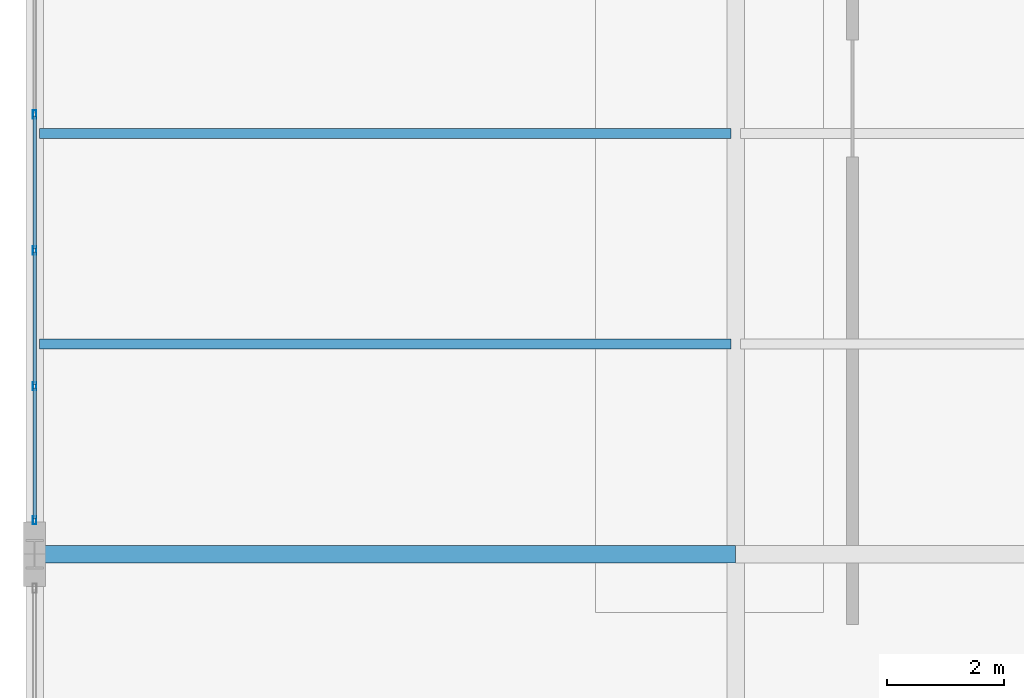
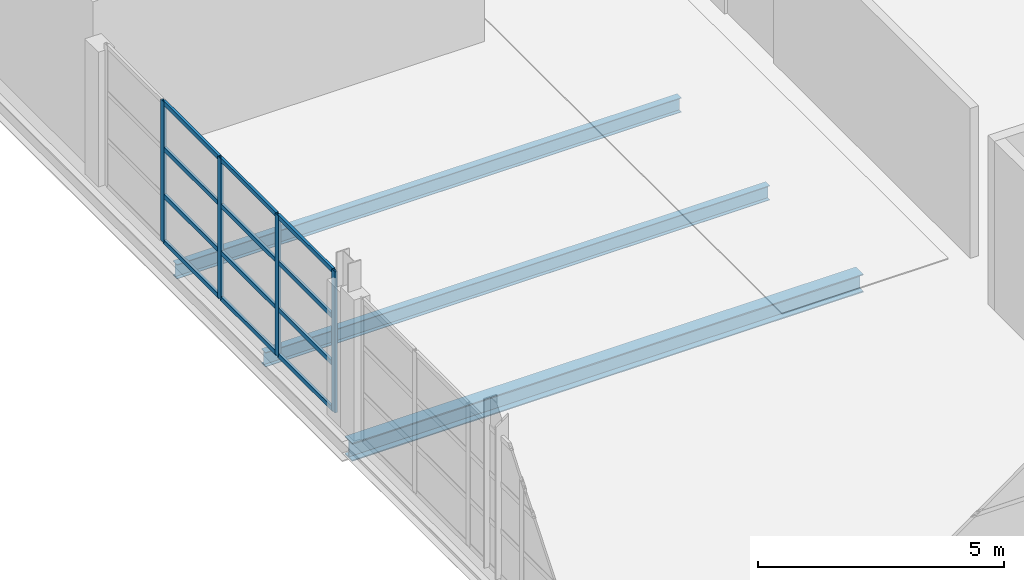
# One storey, part 33 of 158: 16 members, 3 beams, 1 element without a shape of its own.
"""IFC4 building model written with IfcOpenShell, lengths in metres."""

from ifc_helpers import new_model, si_unit, direction, frame, origin, origin_2d, place, context, subcontext, project, spatial, hollow_rectangle, i_section, extrude, material, layer, layer_set, material_profile, profile_set, type_object, element, aggregate, save


model = new_model("IFC4")

# Units and contexts
model_context = context("Model", 3, precision=1e-05, world=origin(), true_north=direction((0.0, 1.0)))
body_context = subcontext(model_context, "Body", "Model", "MODEL_VIEW")
ifc_project = project(units=[si_unit("LENGTHUNIT", "METRE"), si_unit("AREAUNIT", "SQUARE_METRE"), si_unit("VOLUMEUNIT", "CUBIC_METRE"), si_unit("PLANEANGLEUNIT", "RADIAN"), si_unit("MASSUNIT", "GRAM", prefix="KILO")], contexts=[model_context])

# Site, building, storey
site_placement = place(None, origin())
site = spatial("IfcSite", under=ifc_project, at=site_placement, CompositionType="ELEMENT")
building_placement = place(site_placement, origin())
building = spatial("IfcBuilding", under=site, at=building_placement, Name="Zilviju Railside Exhibition Hall", CompositionType="ELEMENT")
storey_placement = place(building_placement, frame((0.0, 0.0, 4.199951171875)))
storey = spatial("IfcBuildingStorey", under=building, at=storey_placement, Name="L02", CompositionType="ELEMENT", Elevation=4.199951171875)

# Beams
ifc_material_1 = material(Name="Steel S355J2", Category="steel")
ifc_material_profile_1 = material_profile(ifc_material_1, i_section(OverallWidth=0.300048828125, OverallDepth=0.449951171875, WebThickness=0.013916015625, FlangeThickness=0.02587890625, at=origin_2d()), Name="HEB 450")
ifc_profile_set_1 = profile_set([ifc_material_profile_1], Name="Steel S355J2")
beam_type_1 = type_object("IfcBeamType", Name="BM-HEB450", PredefinedType="BEAM", material=ifc_profile_set_1)
beam_placement = place(storey_placement, frame((0.0, 48.0, -0.5849609375), z_axis=(1.0, 0.0, 0.0), x_axis=(0.0, 1.0, 0.0)))
element("IfcBeam", 1, at=beam_placement, inside=storey, type_object=beam_type_1, Name="Primary Girder L02 Y=48.0 (0.0..12.0)", PredefinedType="BEAM", context=body_context, shape_type="SweptSolid", body=[
    extrude(i_section(OverallWidth=0.300048828125, OverallDepth=0.449951171875, WebThickness=0.013916015625, FlangeThickness=0.02587890625, at=origin_2d()), origin(), (0.0, 0.0, 1.0), 12.0),
])
ifc_material_profile_2 = material_profile(ifc_material_1, i_section(OverallWidth=0.169921875, OverallDepth=0.360107421875, WebThickness=0.008056640625, FlangeThickness=0.0126953125, at=origin_2d()), Name="IPE 360")
ifc_profile_set_2 = profile_set([ifc_material_profile_2], Name="Steel S355J2")
beam_type_2 = type_object("IfcBeamType", Name="BM-IPE360", PredefinedType="JOIST", material=ifc_profile_set_2)
for number, where, z_axis, x_axis, name in (
    (2, (0.080078125, 51.60009765625, -0.5400390625), (1.0, 0.0, 0.0), (0.0, 1.0, 0.0), "Composite Floor Joist L02 Y=51.60 (0.0..12.0)"),
    (3, (0.080078125, 55.199951171875, -0.5400390625), (1.0, 0.0, 0.0), (0.0, 1.0, 0.0), "Composite Floor Joist L02 Y=55.20 (0.0..12.0)"),
):
    element("IfcBeam", number, at=place(storey_placement, frame(where, z_axis=z_axis, x_axis=x_axis)), inside=storey, type_object=beam_type_2, Name=name, PredefinedType="JOIST", context=body_context, shape_type="SweptSolid", body=[
        extrude(i_section(OverallWidth=0.169921875, OverallDepth=0.360107421875, WebThickness=0.008056640625, FlangeThickness=0.0126953125, at=origin_2d()), origin(), (0.0, 0.0, 1.0), 11.83984375),
    ])

# Curtain wall, members
ifc_material_2 = material(Name="Thermally broken aluminium-steel triple-glazed curtain wall", Category="steel")
ifc_layer = layer(ifc_material_2, 0.179931640625)
ifc_layer_set = layer_set([ifc_layer], Name="Thermally broken aluminium-steel triple-glazed curtain wall")
curtain_wall_type = type_object("IfcCurtainWallType", Name="CW-BAY-19", PredefinedType="USERDEFINED", material=ifc_layer_set)
curtain_wall_placement = place(storey_placement, origin())
curtain_wall = element("IfcCurtainWall", 4, at=curtain_wall_placement, inside=storey, type_object=curtain_wall_type, Name="Congress Crush Foyer Boulevard Curtain Wall L02 (48..58)", ObjectType="GLAZED CURTAIN WALL", PredefinedType="USERDEFINED")
ifc_material_3 = material(Name="Thermally broken anodized aluminium mullion", Category="aluminium")
ifc_material_profile_3 = material_profile(ifc_material_3, hollow_rectangle(XDim=0.06005859375, YDim=0.139892578125, WallThickness=0.0048828125, at=origin_2d()), Name="MULLION 140x60x5")
ifc_profile_set_3 = profile_set([ifc_material_profile_3], Name="Thermally broken anodized aluminium mullion")
member_type_1 = type_object("IfcMemberType", Name="CWM-60x140", PredefinedType="MULLION", material=ifc_profile_set_3)
member_1_placement = place(storey_placement, frame((0.0, 48.580078125, 0.0), z_axis=(0.0, 0.0, 1.0), x_axis=(-1.0, 0.0, 0.0)))
member_1 = element("IfcMember", 5, at=member_1_placement, type_object=member_type_1, Name="CW-19 mullion 1", PredefinedType="MULLION", context=body_context, shape_type="SweptSolid", body=[
    extrude(hollow_rectangle(XDim=0.06005859375, YDim=0.139892578125, WallThickness=0.0048828125, at=origin_2d()), origin(), (0.0, 0.0, 1.0), 3.5),
])
member_2_placement = place(storey_placement, frame((0.0, 50.875, 0.0), z_axis=(0.0, 0.0, 1.0), x_axis=(-1.0, 0.0, 0.0)))
member_2 = element("IfcMember", 6, at=member_2_placement, type_object=member_type_1, Name="CW-19 mullion 2", PredefinedType="MULLION", context=body_context, shape_type="SweptSolid", body=[
    extrude(hollow_rectangle(XDim=0.06005859375, YDim=0.139892578125, WallThickness=0.0048828125, at=origin_2d()), origin(), (0.0, 0.0, 1.0), 3.5),
])
member_3_placement = place(storey_placement, frame((0.0, 53.199951171875, 0.0), z_axis=(0.0, 0.0, 1.0), x_axis=(-1.0, 0.0, 0.0)))
member_3 = element("IfcMember", 7, at=member_3_placement, type_object=member_type_1, Name="CW-19 mullion 3", PredefinedType="MULLION", context=body_context, shape_type="SweptSolid", body=[
    extrude(hollow_rectangle(XDim=0.06005859375, YDim=0.139892578125, WallThickness=0.0048828125, at=origin_2d()), origin(), (0.0, 0.0, 1.0), 3.5),
])
member_4_placement = place(storey_placement, frame((0.0, 55.52490234375, 0.0), z_axis=(0.0, 0.0, 1.0), x_axis=(-1.0, 0.0, 0.0)))
member_4 = element("IfcMember", 8, at=member_4_placement, type_object=member_type_1, Name="CW-19 mullion 4", PredefinedType="MULLION", context=body_context, shape_type="SweptSolid", body=[
    extrude(hollow_rectangle(XDim=0.06005859375, YDim=0.139892578125, WallThickness=0.0048828125, at=origin_2d()), origin(), (0.0, 0.0, 1.0), 3.5),
])
ifc_material_4 = material(Name="Thermally broken anodized aluminium transom", Category="aluminium")
ifc_material_profile_4 = material_profile(ifc_material_4, hollow_rectangle(XDim=0.06005859375, YDim=0.110107421875, WallThickness=0.0048828125, at=origin_2d()), Name="TRANSOM 110x60x5")
ifc_profile_set_4 = profile_set([ifc_material_profile_4], Name="Thermally broken anodized aluminium transom")
member_type_2 = type_object("IfcMemberType", Name="CWT-60x110", PredefinedType="USERDEFINED", material=ifc_profile_set_4)
member_5_placement = place(storey_placement, frame((0.0, 48.610107421875, 0.030029296875), z_axis=(0.0, 1.0, 0.0), x_axis=(-1.0, 0.0, 0.0)))
member_5 = element("IfcMember", 9, at=member_5_placement, type_object=member_type_2, Name="CW-19 transom 1.1", ObjectType="TRANSOM", PredefinedType="USERDEFINED", context=body_context, shape_type="SweptSolid", body=[
    extrude(hollow_rectangle(XDim=0.06005859375, YDim=0.110107421875, WallThickness=0.0048828125, at=origin_2d()), origin(), (0.0, 0.0, 1.0), 2.23486328125),
])
member_6_placement = place(storey_placement, frame((0.0, 48.610107421875, 1.1669921875), z_axis=(0.0, 1.0, 0.0), x_axis=(-1.0, 0.0, 0.0)))
member_6 = element("IfcMember", 10, at=member_6_placement, type_object=member_type_2, Name="CW-19 transom 1.2", ObjectType="TRANSOM", PredefinedType="USERDEFINED", context=body_context, shape_type="SweptSolid", body=[
    extrude(hollow_rectangle(XDim=0.06005859375, YDim=0.110107421875, WallThickness=0.0048828125, at=origin_2d()), origin(), (0.0, 0.0, 1.0), 2.23486328125),
])
member_7_placement = place(storey_placement, frame((0.0, 48.610107421875, 2.3330078125), z_axis=(0.0, 1.0, 0.0), x_axis=(-1.0, 0.0, 0.0)))
member_7 = element("IfcMember", 11, at=member_7_placement, type_object=member_type_2, Name="CW-19 transom 1.3", ObjectType="TRANSOM", PredefinedType="USERDEFINED", context=body_context, shape_type="SweptSolid", body=[
    extrude(hollow_rectangle(XDim=0.06005859375, YDim=0.110107421875, WallThickness=0.0048828125, at=origin_2d()), origin(), (0.0, 0.0, 1.0), 2.23486328125),
])
member_8_placement = place(storey_placement, frame((0.0, 48.610107421875, 3.469970703125), z_axis=(0.0, 1.0, 0.0), x_axis=(-1.0, 0.0, 0.0)))
member_8 = element("IfcMember", 12, at=member_8_placement, type_object=member_type_2, Name="CW-19 transom 1.4", ObjectType="TRANSOM", PredefinedType="USERDEFINED", context=body_context, shape_type="SweptSolid", body=[
    extrude(hollow_rectangle(XDim=0.06005859375, YDim=0.110107421875, WallThickness=0.0048828125, at=origin_2d()), origin(), (0.0, 0.0, 1.0), 2.23486328125),
])
member_9_placement = place(storey_placement, frame((0.0, 50.905029296875, 0.030029296875), z_axis=(0.0, 1.0, 0.0), x_axis=(-1.0, 0.0, 0.0)))
member_9 = element("IfcMember", 13, at=member_9_placement, type_object=member_type_2, Name="CW-19 transom 2.1", ObjectType="TRANSOM", PredefinedType="USERDEFINED", context=body_context, shape_type="SweptSolid", body=[
    extrude(hollow_rectangle(XDim=0.06005859375, YDim=0.110107421875, WallThickness=0.0048828125, at=origin_2d()), origin(), (0.0, 0.0, 1.0), 2.264892578125),
])
member_10_placement = place(storey_placement, frame((0.0, 50.905029296875, 1.1669921875), z_axis=(0.0, 1.0, 0.0), x_axis=(-1.0, 0.0, 0.0)))
member_10 = element("IfcMember", 14, at=member_10_placement, type_object=member_type_2, Name="CW-19 transom 2.2", ObjectType="TRANSOM", PredefinedType="USERDEFINED", context=body_context, shape_type="SweptSolid", body=[
    extrude(hollow_rectangle(XDim=0.06005859375, YDim=0.110107421875, WallThickness=0.0048828125, at=origin_2d()), origin(), (0.0, 0.0, 1.0), 2.264892578125),
])
member_11_placement = place(storey_placement, frame((0.0, 50.905029296875, 2.3330078125), z_axis=(0.0, 1.0, 0.0), x_axis=(-1.0, 0.0, 0.0)))
member_11 = element("IfcMember", 15, at=member_11_placement, type_object=member_type_2, Name="CW-19 transom 2.3", ObjectType="TRANSOM", PredefinedType="USERDEFINED", context=body_context, shape_type="SweptSolid", body=[
    extrude(hollow_rectangle(XDim=0.06005859375, YDim=0.110107421875, WallThickness=0.0048828125, at=origin_2d()), origin(), (0.0, 0.0, 1.0), 2.264892578125),
])
member_12_placement = place(storey_placement, frame((0.0, 50.905029296875, 3.469970703125), z_axis=(0.0, 1.0, 0.0), x_axis=(-1.0, 0.0, 0.0)))
member_12 = element("IfcMember", 16, at=member_12_placement, type_object=member_type_2, Name="CW-19 transom 2.4", ObjectType="TRANSOM", PredefinedType="USERDEFINED", context=body_context, shape_type="SweptSolid", body=[
    extrude(hollow_rectangle(XDim=0.06005859375, YDim=0.110107421875, WallThickness=0.0048828125, at=origin_2d()), origin(), (0.0, 0.0, 1.0), 2.264892578125),
])
member_13_placement = place(storey_placement, frame((0.0, 53.22998046875, 0.030029296875), z_axis=(0.0, 1.0, 0.0), x_axis=(-1.0, 0.0, 0.0)))
member_13 = element("IfcMember", 17, at=member_13_placement, type_object=member_type_2, Name="CW-19 transom 3.1", ObjectType="TRANSOM", PredefinedType="USERDEFINED", context=body_context, shape_type="SweptSolid", body=[
    extrude(hollow_rectangle(XDim=0.06005859375, YDim=0.110107421875, WallThickness=0.0048828125, at=origin_2d()), origin(), (0.0, 0.0, 1.0), 2.26513671875),
])
member_14_placement = place(storey_placement, frame((0.0, 53.22998046875, 1.1669921875), z_axis=(0.0, 1.0, 0.0), x_axis=(-1.0, 0.0, 0.0)))
member_14 = element("IfcMember", 18, at=member_14_placement, type_object=member_type_2, Name="CW-19 transom 3.2", ObjectType="TRANSOM", PredefinedType="USERDEFINED", context=body_context, shape_type="SweptSolid", body=[
    extrude(hollow_rectangle(XDim=0.06005859375, YDim=0.110107421875, WallThickness=0.0048828125, at=origin_2d()), origin(), (0.0, 0.0, 1.0), 2.26513671875),
])
member_15_placement = place(storey_placement, frame((0.0, 53.22998046875, 2.3330078125), z_axis=(0.0, 1.0, 0.0), x_axis=(-1.0, 0.0, 0.0)))
member_15 = element("IfcMember", 19, at=member_15_placement, type_object=member_type_2, Name="CW-19 transom 3.3", ObjectType="TRANSOM", PredefinedType="USERDEFINED", context=body_context, shape_type="SweptSolid", body=[
    extrude(hollow_rectangle(XDim=0.06005859375, YDim=0.110107421875, WallThickness=0.0048828125, at=origin_2d()), origin(), (0.0, 0.0, 1.0), 2.26513671875),
])
member_16_placement = place(storey_placement, frame((0.0, 53.22998046875, 3.469970703125), z_axis=(0.0, 1.0, 0.0), x_axis=(-1.0, 0.0, 0.0)))
member_16 = element("IfcMember", 20, at=member_16_placement, type_object=member_type_2, Name="CW-19 transom 3.4", ObjectType="TRANSOM", PredefinedType="USERDEFINED", context=body_context, shape_type="SweptSolid", body=[
    extrude(hollow_rectangle(XDim=0.06005859375, YDim=0.110107421875, WallThickness=0.0048828125, at=origin_2d()), origin(), (0.0, 0.0, 1.0), 2.26513671875),
])
aggregate(curtain_wall, [member_1, member_2, member_3, member_4, member_5, member_6, member_7, member_8, member_9, member_10, member_11, member_12, member_13, member_14, member_15, member_16])

save(model, "model.ifc")
